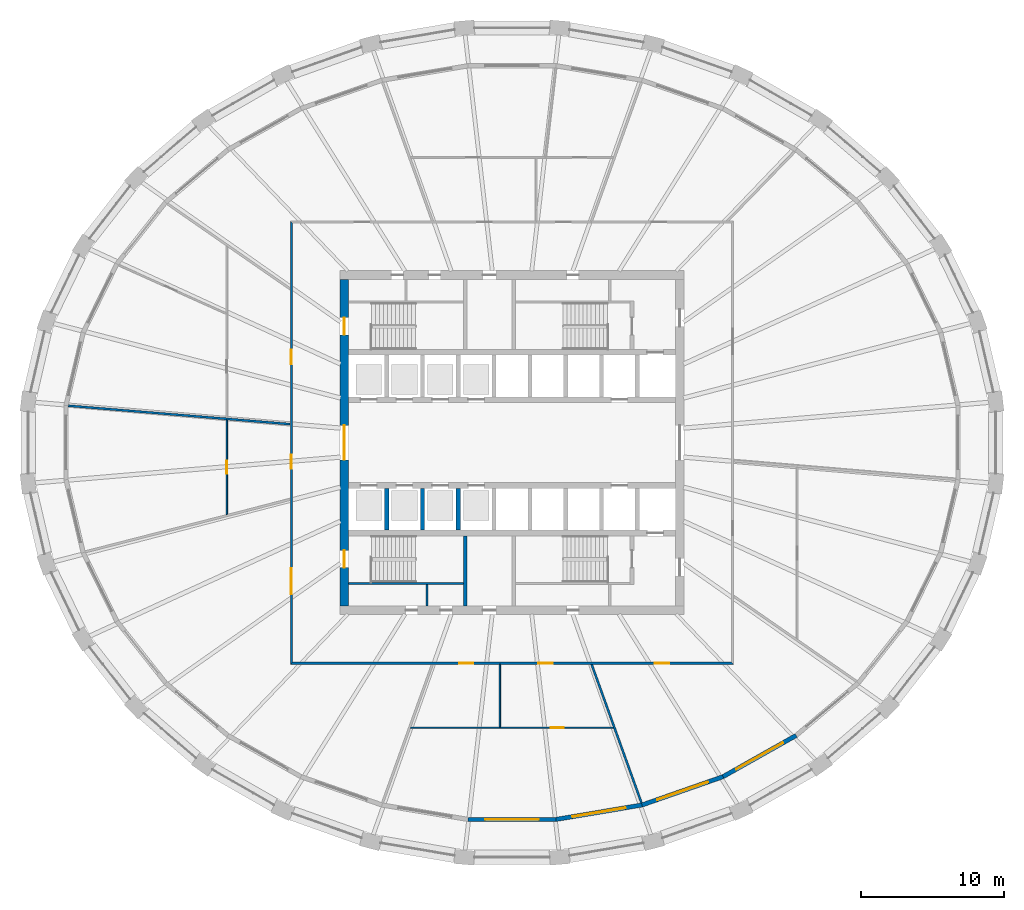
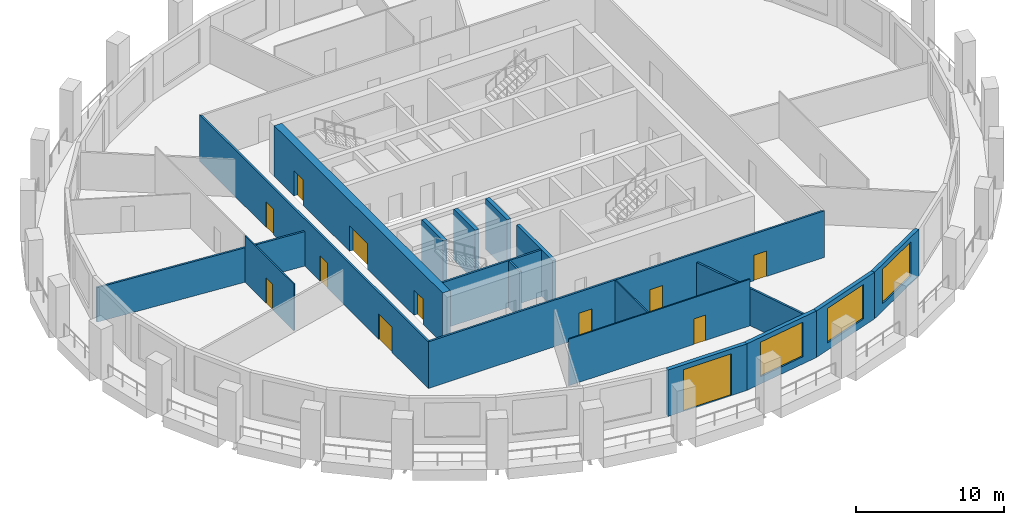
# One storey, part 3 of 10: 18 walls, 12 doors, 3 windows, 15 openings.
"""IFC4 building model written with IfcOpenShell, lengths in metres."""

from ifc_helpers import new_model, si_unit, direction, frame, frame_2d, origin, place, context, subcontext, project, spatial, polyline, rectangle, outline, extrude, material, layer, layer_set, type_object, element, fill, save


model = new_model("IFC4")

# Units and contexts
model_context = context("Model", 3, precision=1e-05, world=origin(), true_north=direction((0.0, 1.0)))
body_context = subcontext(model_context, "Body", "Model", "MODEL_VIEW")
ifc_project = project(units=[si_unit("LENGTHUNIT", "METRE"), si_unit("AREAUNIT", "SQUARE_METRE"), si_unit("VOLUMEUNIT", "CUBIC_METRE"), si_unit("PLANEANGLEUNIT", "RADIAN"), si_unit("MASSUNIT", "GRAM", prefix="KILO")], contexts=[model_context])

# Site, building, storey
site_placement = place(None, origin())
site = spatial("IfcSite", under=ifc_project, at=site_placement, CompositionType="ELEMENT")
building_placement = place(site_placement, origin())
building = spatial("IfcBuilding", under=site, at=building_placement, Name="Halqa Exchange Tower", CompositionType="ELEMENT")
storey_placement = place(building_placement, frame((0.0, 0.0, 163.300048828125)))
storey = spatial("IfcBuildingStorey", under=building, at=storey_placement, Name="L37", CompositionType="ELEMENT", Elevation=163.300048828125)

# Wall
ifc_material_1 = material(Name="Fire-rated gypsum board")
ifc_layer_1 = layer(ifc_material_1, 0.14990234375)
ifc_layer_set_1 = layer_set([ifc_layer_1], Name="Fire-rated gypsum board")
wall_type_1 = type_object("IfcWallType", Name="Fire partition EI 60 150", PredefinedType="PARTITIONING", material=ifc_layer_set_1)
wall_1_placement = place(storey_placement, frame((-30.964599609375, 2.574462890625, 0.0), z_axis=(0.0, 0.0, 1.0), x_axis=(0.996560145348, -0.082872653534, 0.0)))
element("IfcWall", 1, at=wall_1_placement, inside=storey, type_object=wall_type_1, Name="L37-PWL-001", PredefinedType="PARTITIONING", context=body_context, shape_type="SweptSolid", body=[
    extrude(outline(polyline([(0.0, -0.074951171875), (1.85986328125, -0.074951171875), (3.7197265625, -0.074951171875), (5.579345703125, -0.074951171875), (7.439208984375, -0.074951171875), (9.299072265625, -0.074951171875), (11.158935546875, -0.074951171875), (11.1591796875, -0.074951171875), (11.1591796875, -0.074951171875), (12.622314453125, -0.074951171875), (14.085693359375, -0.074951171875), (15.548828125, -0.074951171875), (15.548828125, -0.0693359375), (15.536865234375, 0.074951171875), (14.044921875, 0.074951171875), (12.552978515625, 0.074951171875), (11.06103515625, 0.074951171875), (11.04638671875, 0.07373046875), (11.04638671875, 0.074951171875), (9.2060546875, 0.074951171875), (7.36572265625, 0.074951171875), (5.525390625, 0.074951171875), (3.68505859375, 0.074951171875), (1.8447265625, 0.074951171875), (0.00439453125, 0.074951171875), (0.0, 0.044921875), (0.0, -0.074951171875)])), origin(), (0.0, 0.0, 1.0), 2.849853515625),
])

# Wall, openings, doors
wall_2_placement = place(storey_placement, frame((-15.39990234375, -15.47509765625, 0.0), z_axis=(0.0, 0.0, 1.0), x_axis=(0.0, 1.0, 0.0)))
wall_2 = element("IfcWall", 2, at=wall_2_placement, inside=storey, type_object=wall_type_1, Name="L37-PWL-007", PredefinedType="PARTITIONING", context=body_context, shape_type="SweptSolid", body=[
    extrude(outline(polyline([(0.150146484375, -0.074951171875), (2.065673828125, -0.074951171875), (3.9814453125, -0.074951171875), (5.89697265625, -0.074951171875), (7.8125, -0.074951171875), (9.728271484375, -0.074951171875), (11.643798828125, -0.074951171875), (13.5595703125, -0.074951171875), (15.47509765625, -0.074951171875), (17.390625, -0.074951171875), (19.306396484375, -0.074951171875), (21.221923828125, -0.074951171875), (23.1376953125, -0.074951171875), (25.05322265625, -0.074951171875), (26.96875, -0.074951171875), (28.884521484375, -0.074951171875), (30.800048828125, -0.074951171875), (30.949951171875, 0.074951171875), (29.015625, 0.074951171875), (27.081298828125, 0.074951171875), (25.14697265625, 0.074951171875), (23.21240234375, 0.074951171875), (21.278076171875, 0.074951171875), (19.34375, 0.074951171875), (17.409423828125, 0.074951171875), (15.47509765625, 0.074951171875), (13.540771484375, 0.074951171875), (11.6064453125, 0.074951171875), (9.672119140625, 0.074951171875), (7.73779296875, 0.074951171875), (5.80322265625, 0.074951171875), (3.868896484375, 0.074951171875), (1.9345703125, 0.074951171875), (0.000244140625, 0.074951171875), (0.150146484375, -0.074951171875)])), origin(), (0.0, 0.0, 1.0), 3.849853515625),
])
opening_1_placement = place(wall_2_placement, frame((20.949951171875, 0.0, 0.0)))
opening_1 = element("IfcOpeningElement", 3, at=opening_1_placement, cuts=wall_2, Name="Opening 11-04", PredefinedType="OPENING", context=body_context, shape_type="SweptSolid", body=[
    extrude(rectangle(XDim=1.0, YDim=2.10009765625, at=frame_2d((0.5, 1.050048828125))), frame((0.0, 0.0869140625, 0.0), z_axis=(0.0, -1.0, 0.0), x_axis=(1.0, 0.0, 0.0)), (0.0, 0.0, 1.0), 0.173828125),
])
opening_2_placement = place(wall_2_placement, frame((13.64501953125, 0.0, 0.0)))
opening_2 = element("IfcOpeningElement", 4, at=opening_2_placement, cuts=wall_2, Name="Opening 11-05", PredefinedType="OPENING", context=body_context, shape_type="SweptSolid", body=[
    extrude(rectangle(XDim=1.0, YDim=2.10009765625, at=frame_2d((0.5, 1.050048828125))), frame((0.0, 0.0869140625, 0.0), z_axis=(0.0, -1.0, 0.0), x_axis=(1.0, 0.0, 0.0)), (0.0, 0.0, 1.0), 0.173828125),
])
opening_3_placement = place(wall_2_placement, frame((4.905029296875, 0.0, 0.0)))
opening_3 = element("IfcOpeningElement", 5, at=opening_3_placement, cuts=wall_2, Name="Opening 11-06", PredefinedType="OPENING", context=body_context, shape_type="SweptSolid", body=[
    extrude(rectangle(XDim=1.800048828125, YDim=2.10009765625, at=frame_2d((0.89990234375, 1.050048828125))), frame((0.0, 0.0869140625, 0.0), z_axis=(0.0, -1.0, 0.0), x_axis=(1.0, 0.0, 0.0)), (0.0, 0.0, 1.0), 0.173828125),
])
ifc_material_2 = material(Name="Steel fire door leaf", Category="steel")
door_type_1 = type_object("IfcDoorType", Name="Fire door FD30S 1000 x 2100", OperationType="SINGLE_SWING_LEFT", PredefinedType="DOOR", material=ifc_material_2)
door_1_placement = place(opening_1_placement, origin())
door_1 = element("IfcDoor", 6, at=door_1_placement, inside=storey, type_object=door_type_1, Name="L37-IDR-004", OperationType="SINGLE_SWING_RIGHT", OverallHeight=2.10009765625, OverallWidth=1.0, PredefinedType="DOOR", context=body_context, shape_type="SweptSolid", body=[
    extrude(rectangle(XDim=1.0, YDim=2.10009765625, at=frame_2d((0.5, 1.050048828125))), frame((0.0, 0.02490234375, 0.0), z_axis=(0.0, -1.0, 0.0), x_axis=(1.0, 0.0, 0.0)), (0.0, 0.0, 1.0), 0.050048828125),
])
fill(opening_1, door_1)
door_2_placement = place(opening_2_placement, origin())
door_2 = element("IfcDoor", 7, at=door_2_placement, inside=storey, type_object=door_type_1, Name="L37-IDR-005", OperationType="SINGLE_SWING_RIGHT", OverallHeight=2.10009765625, OverallWidth=1.0, PredefinedType="DOOR", context=body_context, shape_type="SweptSolid", body=[
    extrude(rectangle(XDim=1.0, YDim=2.10009765625, at=frame_2d((0.5, 1.050048828125))), frame((0.0, 0.02490234375, 0.0), z_axis=(0.0, -1.0, 0.0), x_axis=(1.0, 0.0, 0.0)), (0.0, 0.0, 1.0), 0.050048828125),
])
fill(opening_2, door_2)
door_type_2 = type_object("IfcDoorType", Name="Fire door FD30S double 1800 x 2100", OperationType="DOUBLE_DOOR_SINGLE_SWING", PredefinedType="DOOR", material=ifc_material_2)
door_3_placement = place(opening_3_placement, origin())
door_3 = element("IfcDoor", 8, at=door_3_placement, inside=storey, type_object=door_type_2, Name="L37-IDR-006", OperationType="DOUBLE_DOOR_SINGLE_SWING", OverallHeight=2.10009765625, OverallWidth=1.800048828125, PredefinedType="DOOR", context=body_context, shape_type="SweptSolid", body=[
    extrude(rectangle(XDim=1.800048828125, YDim=2.10009765625, at=frame_2d((0.89990234375, 1.050048828125))), frame((0.0, 0.02490234375, 0.0), z_axis=(0.0, -1.0, 0.0), x_axis=(1.0, 0.0, 0.0)), (0.0, 0.0, 1.0), 0.050048828125),
])
fill(opening_3, door_3)

wall_3_placement = place(storey_placement, frame((-15.47509765625, -15.39990234375, 0.0), z_axis=(0.0, 0.0, 1.0), x_axis=(1.0, 0.0, 0.0)))
wall_3 = element("IfcWall", 9, at=wall_3_placement, inside=storey, type_object=wall_type_1, Name="L37-PWL-008", PredefinedType="PARTITIONING", context=body_context, shape_type="SweptSolid", body=[
    extrude(outline(polyline([(0.000244140625, -0.074951171875), (1.9345703125, -0.074951171875), (3.868896484375, -0.074951171875), (5.80322265625, -0.074951171875), (7.73779296875, -0.074951171875), (9.672119140625, -0.074951171875), (11.6064453125, -0.074951171875), (13.540771484375, -0.074951171875), (15.47509765625, -0.074951171875), (17.409423828125, -0.074951171875), (19.34375, -0.074951171875), (21.278076171875, -0.074951171875), (23.21240234375, -0.074951171875), (25.14697265625, -0.074951171875), (27.081298828125, -0.074951171875), (29.015625, -0.074951171875), (30.949951171875, -0.074951171875), (30.800048828125, 0.074951171875), (28.884521484375, 0.074951171875), (26.96875, 0.074951171875), (25.05322265625, 0.074951171875), (23.1376953125, 0.074951171875), (21.221923828125, 0.074951171875), (19.306396484375, 0.074951171875), (17.390625, 0.074951171875), (15.47509765625, 0.074951171875), (13.5595703125, 0.074951171875), (11.643798828125, 0.074951171875), (9.728271484375, 0.074951171875), (7.8125, 0.074951171875), (5.89697265625, 0.074951171875), (3.9814453125, 0.074951171875), (2.065673828125, 0.074951171875), (0.150146484375, 0.074951171875), (0.000244140625, -0.074951171875)])), origin(), (0.0, 0.0, 1.0), 3.849853515625),
])
opening_4_placement = place(wall_3_placement, frame((11.784912109375, 0.0, 0.0)))
opening_4 = element("IfcOpeningElement", 10, at=opening_4_placement, cuts=wall_3, Name="Opening 11-07", PredefinedType="OPENING", context=body_context, shape_type="SweptSolid", body=[
    extrude(rectangle(XDim=1.0, YDim=2.10009765625, at=frame_2d((0.5, 1.050048828125))), frame((0.0, 0.0869140625, 0.0), z_axis=(0.0, -1.0, 0.0), x_axis=(1.0, 0.0, 0.0)), (0.0, 0.0, 1.0), 0.173828125),
])
opening_5_placement = place(wall_3_placement, frame((17.31494140625, 0.0, 0.0)))
opening_5 = element("IfcOpeningElement", 11, at=opening_5_placement, cuts=wall_3, Name="Opening 11-08", PredefinedType="OPENING", context=body_context, shape_type="SweptSolid", body=[
    extrude(rectangle(XDim=1.0, YDim=2.10009765625, at=frame_2d((0.5, 1.050048828125))), frame((0.0, 0.0869140625, 0.0), z_axis=(0.0, -1.0, 0.0), x_axis=(1.0, 0.0, 0.0)), (0.0, 0.0, 1.0), 0.173828125),
])
opening_6_placement = place(wall_3_placement, frame((25.43994140625, 0.0, 0.0)))
opening_6 = element("IfcOpeningElement", 12, at=opening_6_placement, cuts=wall_3, Name="Opening 11-09", PredefinedType="OPENING", context=body_context, shape_type="SweptSolid", body=[
    extrude(rectangle(XDim=1.0, YDim=2.10009765625, at=frame_2d((0.5, 1.050048828125))), frame((0.0, 0.0869140625, 0.0), z_axis=(0.0, -1.0, 0.0), x_axis=(1.0, 0.0, 0.0)), (0.0, 0.0, 1.0), 0.173828125),
])
door_4_placement = place(opening_4_placement, frame((1.0, 0.0, 0.0), z_axis=(0.0, 0.0, 1.0), x_axis=(-1.0, 0.0, 0.0)))
door_4 = element("IfcDoor", 13, at=door_4_placement, inside=storey, type_object=door_type_1, Name="L37-IDR-007", OperationType="SINGLE_SWING_LEFT", OverallHeight=2.10009765625, OverallWidth=1.0, PredefinedType="DOOR", context=body_context, shape_type="SweptSolid", body=[
    extrude(rectangle(XDim=1.0, YDim=2.10009765625, at=frame_2d((0.5, 1.050048828125))), frame((0.0, 0.02490234375, 0.0), z_axis=(0.0, -1.0, 0.0), x_axis=(1.0, 0.0, 0.0)), (0.0, 0.0, 1.0), 0.050048828125),
])
fill(opening_4, door_4)
door_5_placement = place(opening_5_placement, frame((1.0, 0.0, 0.0), z_axis=(0.0, 0.0, 1.0), x_axis=(-1.0, 0.0, 0.0)))
door_5 = element("IfcDoor", 14, at=door_5_placement, inside=storey, type_object=door_type_1, Name="L37-IDR-008", OperationType="SINGLE_SWING_RIGHT", OverallHeight=2.10009765625, OverallWidth=1.0, PredefinedType="DOOR", context=body_context, shape_type="SweptSolid", body=[
    extrude(rectangle(XDim=1.0, YDim=2.10009765625, at=frame_2d((0.5, 1.050048828125))), frame((0.0, 0.02490234375, 0.0), z_axis=(0.0, -1.0, 0.0), x_axis=(1.0, 0.0, 0.0)), (0.0, 0.0, 1.0), 0.050048828125),
])
fill(opening_5, door_5)
door_6_placement = place(opening_6_placement, frame((1.0, 0.0, 0.0), z_axis=(0.0, 0.0, 1.0), x_axis=(-1.0, 0.0, 0.0)))
door_6 = element("IfcDoor", 15, at=door_6_placement, inside=storey, type_object=door_type_1, Name="L37-IDR-009", OperationType="SINGLE_SWING_RIGHT", OverallHeight=2.10009765625, OverallWidth=1.0, PredefinedType="DOOR", context=body_context, shape_type="SweptSolid", body=[
    extrude(rectangle(XDim=1.0, YDim=2.10009765625, at=frame_2d((0.5, 1.050048828125))), frame((0.0, 0.02490234375, 0.0), z_axis=(0.0, -1.0, 0.0), x_axis=(1.0, 0.0, 0.0)), (0.0, 0.0, 1.0), 0.050048828125),
])
fill(opening_6, door_6)

# Wall
wall_4_placement = place(storey_placement, frame((5.5478515625, -15.449951171875, 0.0), z_axis=(0.0, 0.0, 1.0), x_axis=(0.338668278724, -0.940905838533, 0.0)))
element("IfcWall", 16, at=wall_4_placement, inside=storey, type_object=wall_type_1, Name="L37-PWL-018", PredefinedType="PARTITIONING", context=body_context, shape_type="SweptSolid", body=[
    extrude(outline(polyline([(0.0, -0.074951171875), (1.5498046875, -0.074951171875), (3.099609375, -0.074951171875), (4.6494140625, -0.074951171875), (4.661376953125, -0.04150390625), (4.75439453125, -0.074951171875), (6.59912109375, -0.074951171875), (8.44384765625, -0.074951171875), (10.28857421875, -0.074951171875), (10.3017578125, -0.0029296875), (10.30224609375, 0.064453125), (10.30224609375, 0.074951171875), (8.59423828125, 0.074951171875), (6.885986328125, 0.074951171875), (5.177978515625, 0.074951171875), (3.4697265625, 0.074951171875), (1.76171875, 0.074951171875), (0.0537109375, 0.074951171875), (0.0, -0.073974609375), (0.0, -0.074951171875)])), origin(), (0.0, 0.0, 1.0), 3.079833984375),
])

# Wall, opening, door
ifc_material_3 = material(Name="Gypsum board")
ifc_layer_2 = layer(ifc_material_3, 0.10009765625)
ifc_layer_set_2 = layer_set([ifc_layer_2], Name="Gypsum board")
wall_type_2 = type_object("IfcWallType", Name="Partition 100 gypsum", PredefinedType="PARTITIONING", material=ifc_layer_set_2)
wall_5_placement = place(storey_placement, frame((-19.89990234375, -5.027587890625, 0.0), z_axis=(0.0, 0.0, 1.0), x_axis=(0.0, 1.0, 0.0)))
wall_5 = element("IfcWall", 17, at=wall_5_placement, inside=storey, type_object=wall_type_2, Name="L37-PWL-004", PredefinedType="PARTITIONING", context=body_context, shape_type="SweptSolid", body=[
    extrude(outline(polyline([(0.025390625, -0.050048828125), (1.669677734375, -0.050048828125), (3.31396484375, -0.050048828125), (4.958251953125, -0.050048828125), (6.6025390625, -0.050048828125), (6.610595703125, 0.04833984375), (6.610595703125, 0.050048828125), (4.9580078125, 0.050048828125), (3.30517578125, 0.050048828125), (1.652587890625, 0.050048828125), (0.0, 0.050048828125), (0.0, 0.048828125), (0.025390625, -0.050048828125)])), origin(), (0.0, 0.0, 1.0), 3.849853515625),
])
opening_7_placement = place(wall_5_placement, frame((2.857421875, 0.0, 0.0)))
opening_7 = element("IfcOpeningElement", 18, at=opening_7_placement, cuts=wall_5, Name="Opening 11-17", PredefinedType="OPENING", context=body_context, shape_type="SweptSolid", body=[
    extrude(rectangle(XDim=0.89990234375, YDim=2.10009765625, at=frame_2d((0.449951171875, 1.050048828125))), frame((0.0, 0.06201171875, 0.0), z_axis=(0.0, -1.0, 0.0), x_axis=(1.0, 0.0, 0.0)), (0.0, 0.0, 1.0), 0.1240234375),
])
ifc_material_4 = material(Name="Timber door leaf", Category="wood")
door_type_3 = type_object("IfcDoorType", Name="Door 900 x 2100", OperationType="SINGLE_SWING_LEFT", PredefinedType="DOOR", material=ifc_material_4)
door_7_placement = place(opening_7_placement, frame((0.89990234375, 0.0, 0.0), z_axis=(0.0, 0.0, 1.0), x_axis=(-1.0, 0.0, 0.0)))
door_7 = element("IfcDoor", 19, at=door_7_placement, inside=storey, type_object=door_type_3, Name="L37-IDR-017", OperationType="SINGLE_SWING_RIGHT", OverallHeight=2.10009765625, OverallWidth=0.89990234375, PredefinedType="DOOR", context=body_context, shape_type="SweptSolid", body=[
    extrude(rectangle(XDim=0.89990234375, YDim=2.10009765625, at=frame_2d((0.449951171875, 1.050048828125))), frame((0.0, 0.02490234375, 0.0), z_axis=(0.0, -1.0, 0.0), x_axis=(1.0, 0.0, 0.0)), (0.0, 0.0, 1.0), 0.050048828125),
])
fill(opening_7, door_7)

wall_6_placement = place(storey_placement, frame((-7.08740234375, -19.89990234375, 0.0), z_axis=(0.0, 0.0, 1.0), x_axis=(1.0, 0.0, 0.0)))
wall_6 = element("IfcWall", 20, at=wall_6_placement, inside=storey, type_object=wall_type_2, Name="L37-PWL-012", PredefinedType="PARTITIONING", context=body_context, shape_type="SweptSolid", body=[
    extrude(outline(polyline([(14.1748046875, -0.050048828125), (14.1748046875, -0.048583984375), (14.13916015625, 0.050048828125), (12.17626953125, 0.050048828125), (10.21337890625, 0.050048828125), (8.250244140625, 0.050048828125), (6.287353515625, 0.050048828125), (6.287353515625, 0.0498046875), (6.1875, 0.0498046875), (6.1875, 0.050048828125), (4.6494140625, 0.050048828125), (3.111572265625, 0.050048828125), (1.573486328125, 0.050048828125), (0.03564453125, 0.050048828125), (0.0, -0.048583984375), (0.0, -0.050048828125), (1.77197265625, -0.050048828125), (3.543701171875, -0.050048828125), (5.3154296875, -0.050048828125), (7.08740234375, -0.050048828125), (8.859375, -0.050048828125), (10.631103515625, -0.050048828125), (12.40283203125, -0.050048828125), (14.1748046875, -0.050048828125)])), origin(), (0.0, 0.0, 1.0), 3.849853515625),
])
opening_8_placement = place(wall_6_placement, frame((9.78759765625, 0.0, 0.0)))
opening_8 = element("IfcOpeningElement", 21, at=opening_8_placement, cuts=wall_6, Name="Opening 11-18", PredefinedType="OPENING", context=body_context, shape_type="SweptSolid", body=[
    extrude(rectangle(XDim=0.89990234375, YDim=2.10009765625, at=frame_2d((0.449951171875, 1.050048828125))), frame((0.0, 0.06201171875, 0.0), z_axis=(0.0, -1.0, 0.0), x_axis=(1.0, 0.0, 0.0)), (0.0, 0.0, 1.0), 0.1240234375),
])
door_8_placement = place(opening_8_placement, origin())
door_8 = element("IfcDoor", 22, at=door_8_placement, inside=storey, type_object=door_type_3, Name="L37-IDR-018", OperationType="SINGLE_SWING_RIGHT", OverallHeight=2.10009765625, OverallWidth=0.89990234375, PredefinedType="DOOR", context=body_context, shape_type="SweptSolid", body=[
    extrude(rectangle(XDim=0.89990234375, YDim=2.10009765625, at=frame_2d((0.449951171875, 1.050048828125))), frame((0.0, 0.02490234375, 0.0), z_axis=(0.0, -1.0, 0.0), x_axis=(1.0, 0.0, 0.0)), (0.0, 0.0, 1.0), 0.050048828125),
])
fill(opening_8, door_8)

# Walls
wall_7_placement = place(storey_placement, frame((-0.85009765625, -15.47509765625, 0.0), z_axis=(0.0, 0.0, 1.0), x_axis=(0.0, -1.0, 0.0)))
element("IfcWall", 23, at=wall_7_placement, inside=storey, type_object=wall_type_2, Name="L37-PWL-014", PredefinedType="PARTITIONING", context=body_context, shape_type="SweptSolid", body=[
    extrude(rectangle(XDim=4.375, YDim=0.10009765625, at=frame_2d((2.1875, 0.0))), origin(), (0.0, 0.0, 1.0), 3.849853515625),
])
ifc_layer_3 = layer(ifc_material_3, 0.14990234375)
ifc_layer_set_3 = layer_set([ifc_layer_3], Name="Gypsum board")
wall_type_3 = type_object("IfcWallType", Name="Penthouse riser wall 150 gypsum", PredefinedType="PARTITIONING", material=ifc_layer_set_3)
wall_8_placement = place(storey_placement, frame((-5.925048828125, -11.39990234375, 0.0), z_axis=(0.0, 0.0, 1.0), x_axis=(0.0, 1.0, 0.0)))
element("IfcWall", 24, at=wall_8_placement, inside=storey, type_object=wall_type_3, Name="Partition W5.925 S", PredefinedType="PARTITIONING", context=body_context, shape_type="SweptSolid", body=[
    extrude(rectangle(XDim=1.5, YDim=0.14990234375, at=frame_2d((0.75, 0.0))), origin(), (0.0, 0.0, 1.0), 3.849853515625),
])
ifc_material_5 = material(Name="Concrete C60/75", Category="concrete")
ifc_layer_4 = layer(ifc_material_5, 0.300048828125)
ifc_layer_set_4 = layer_set([ifc_layer_4], Name="Concrete C60/75")
wall_type_4 = type_object("IfcWallType", Name="RC core wall 300", PredefinedType="SHEAR", material=ifc_layer_set_4)
for number, where, z_axis, x_axis, name in (
    (25, (-8.75, -6.10009765625, 0.0), (0.0, 0.0, 1.0), (0.0, 1.0, 0.0), "Shaft divider S1"),
    (26, (-6.25, -6.10009765625, 0.0), (0.0, 0.0, 1.0), (0.0, 1.0, 0.0), "Shaft divider S2"),
    (27, (-3.75, -6.10009765625, 0.0), (0.0, 0.0, 1.0), (0.0, 1.0, 0.0), "Shaft divider S3"),
):
    element("IfcWall", number, at=place(storey_placement, frame(where, z_axis=z_axis, x_axis=x_axis)), inside=storey, type_object=wall_type_4, Name=name, PredefinedType="SHEAR", context=body_context, shape_type="SweptSolid", body=[
        extrude(rectangle(XDim=2.900146484375, YDim=0.300048828125, at=frame_2d((1.4501953125, 0.0))), origin(), (0.0, 0.0, 1.0), 4.199951171875),
    ])

# Wall, openings, doors
ifc_material_6 = material(Name="Concrete C70/85", Category="concrete")
ifc_layer_5 = layer(ifc_material_6, 0.60009765625)
ifc_layer_set_5 = layer_set([ifc_layer_5], Name="Concrete C70/85")
wall_type_5 = type_object("IfcWallType", Name="RC core wall 600 C70/85", PredefinedType="SHEAR", material=ifc_layer_set_5)
wall_9_placement = place(storey_placement, frame((-11.699951171875, -11.39990234375, 0.0), z_axis=(0.0, 0.0, 1.0), x_axis=(0.0, 1.0, 0.0)))
wall_9 = element("IfcWall", 28, at=wall_9_placement, inside=storey, type_object=wall_type_5, Name="Core wall west", PredefinedType="SHEAR", context=body_context, shape_type="SweptSolid", body=[
    extrude(rectangle(XDim=22.7998046875, YDim=0.60009765625, at=frame_2d((11.39990234375, 0.0))), origin(), (0.0, 0.0, 1.0), 4.199951171875),
])
opening_9_placement = place(wall_9_placement, frame((10.199951171875, 0.0, 0.0)))
opening_9 = element("IfcOpeningElement", 29, at=opening_9_placement, cuts=wall_9, Name="Opening T11-C13", PredefinedType="OPENING", context=body_context, shape_type="SweptSolid", body=[
    extrude(rectangle(XDim=2.39990234375, YDim=2.10009765625, at=frame_2d((1.199951171875, 1.050048828125))), frame((0.0, 0.31201171875, 0.0), z_axis=(0.0, -1.0, 0.0), x_axis=(1.0, 0.0, 0.0)), (0.0, 0.0, 1.0), 0.6240234375),
])
opening_10_placement = place(wall_9_placement, frame((18.925048828125, 0.0, 0.0)))
opening_10 = element("IfcOpeningElement", 30, at=opening_10_placement, cuts=wall_9, Name="Opening T11-C15", PredefinedType="OPENING", context=body_context, shape_type="SweptSolid", body=[
    extrude(rectangle(XDim=1.199951171875, YDim=2.10009765625, at=frame_2d((0.60009765625, 1.050048828125))), frame((0.0, 0.31201171875, 0.0), z_axis=(0.0, -1.0, 0.0), x_axis=(1.0, 0.0, 0.0)), (0.0, 0.0, 1.0), 0.6240234375),
])
opening_11_placement = place(wall_9_placement, frame((2.675048828125, 0.0, 0.0)))
opening_11 = element("IfcOpeningElement", 31, at=opening_11_placement, cuts=wall_9, Name="Opening T11-C17", PredefinedType="OPENING", context=body_context, shape_type="SweptSolid", body=[
    extrude(rectangle(XDim=1.199951171875, YDim=2.10009765625, at=frame_2d((0.60009765625, 1.050048828125))), frame((0.0, 0.31201171875, 0.0), z_axis=(0.0, -1.0, 0.0), x_axis=(1.0, 0.0, 0.0)), (0.0, 0.0, 1.0), 0.6240234375),
])
door_type_4 = type_object("IfcDoorType", Name="Lobby double door FD60 2400 x 2100", OperationType="DOUBLE_DOOR_SINGLE_SWING", PredefinedType="DOOR", material=ifc_material_2)
door_9_placement = place(opening_9_placement, frame((2.39990234375, 0.0, 0.0), z_axis=(0.0, 0.0, 1.0), x_axis=(-1.0, 0.0, 0.0)))
door_9 = element("IfcDoor", 32, at=door_9_placement, inside=storey, type_object=door_type_4, Name="Lift lobby double door", OperationType="DOUBLE_DOOR_SINGLE_SWING", OverallHeight=2.10009765625, OverallWidth=2.39990234375, PredefinedType="DOOR", context=body_context, shape_type="SweptSolid", body=[
    extrude(rectangle(XDim=2.39990234375, YDim=2.10009765625, at=frame_2d((1.199951171875, 1.050048828125))), frame((0.0, 0.02490234375, 0.0), z_axis=(0.0, -1.0, 0.0), x_axis=(1.0, 0.0, 0.0)), (0.0, 0.0, 1.0), 0.050048828125),
])
fill(opening_9, door_9)
door_type_5 = type_object("IfcDoorType", Name="Stair door FD90 1200 x 2100", OperationType="SINGLE_SWING_LEFT", PredefinedType="DOOR", material=ifc_material_2)
door_10_placement = place(opening_10_placement, frame((1.199951171875, 0.0, 0.0), z_axis=(0.0, 0.0, 1.0), x_axis=(-1.0, 0.0, 0.0)))
door_10 = element("IfcDoor", 33, at=door_10_placement, inside=storey, type_object=door_type_5, Name="Stair door ST1", OperationType="SINGLE_SWING_RIGHT", OverallHeight=2.10009765625, OverallWidth=1.199951171875, PredefinedType="DOOR", context=body_context, shape_type="SweptSolid", body=[
    extrude(rectangle(XDim=1.199951171875, YDim=2.10009765625, at=frame_2d((0.60009765625, 1.050048828125))), frame((0.0, 0.02490234375, 0.0), z_axis=(0.0, -1.0, 0.0), x_axis=(1.0, 0.0, 0.0)), (0.0, 0.0, 1.0), 0.050048828125),
])
fill(opening_10, door_10)
door_11_placement = place(opening_11_placement, frame((1.199951171875, 0.0, 0.0), z_axis=(0.0, 0.0, 1.0), x_axis=(-1.0, 0.0, 0.0)))
door_11 = element("IfcDoor", 34, at=door_11_placement, inside=storey, type_object=door_type_5, Name="Stair door ST3", OperationType="SINGLE_SWING_RIGHT", OverallHeight=2.10009765625, OverallWidth=1.199951171875, PredefinedType="DOOR", context=body_context, shape_type="SweptSolid", body=[
    extrude(rectangle(XDim=1.199951171875, YDim=2.10009765625, at=frame_2d((0.60009765625, 1.050048828125))), frame((0.0, 0.02490234375, 0.0), z_axis=(0.0, -1.0, 0.0), x_axis=(1.0, 0.0, 0.0)), (0.0, 0.0, 1.0), 0.050048828125),
])
fill(opening_11, door_11)

# Walls
ifc_material_7 = material(Name="Concrete C30/37", Category="concrete")
ifc_layer_6 = layer(ifc_material_7, 0.14990234375)
ifc_layer_set_6 = layer_set([ifc_layer_6], Name="Concrete C30/37")
wall_type_6 = type_object("IfcWallType", Name="RC stair wall 150 C30/37", PredefinedType="SHEAR", material=ifc_layer_set_6)
wall_10_placement = place(storey_placement, frame((-11.39990234375, -9.824951171875, 0.0), z_axis=(0.0, 0.0, 1.0), x_axis=(1.0, 0.0, 0.0)))
element("IfcWall", 35, at=wall_10_placement, inside=storey, type_object=wall_type_6, Name="Stair ST1 north wall S", PredefinedType="SHEAR", context=body_context, shape_type="SweptSolid", body=[
    extrude(rectangle(XDim=8.0, YDim=0.14990234375, at=frame_2d((4.0, 0.0))), origin(), (0.0, 0.0, 1.0), 3.849853515625),
])
ifc_layer_7 = layer(ifc_material_7, 0.25)
ifc_layer_set_7 = layer_set([ifc_layer_7], Name="Concrete C30/37")
wall_type_7 = type_object("IfcWallType", Name="RC stair wall 250 C30/37", PredefinedType="SHEAR", material=ifc_layer_set_7)
wall_11_placement = place(storey_placement, frame((-3.27490234375, -11.39990234375, 0.0), z_axis=(0.0, 0.0, 1.0), x_axis=(0.0, 1.0, 0.0)))
element("IfcWall", 36, at=wall_11_placement, inside=storey, type_object=wall_type_7, Name="Stair ST1 east wall S", PredefinedType="SHEAR", context=body_context, shape_type="SweptSolid", body=[
    extrude(rectangle(XDim=4.89990234375, YDim=0.25, at=frame_2d((2.449951171875, 0.0))), origin(), (0.0, 0.0, 1.0), 3.849853515625),
])

# Wall, opening, door
ifc_material_8 = material(Name="Limestone cladding", Category="masonry")
ifc_layer_8 = layer(ifc_material_8, 0.0400390625)
ifc_material_9 = material(Name="Ventilated cavity")
ifc_layer_9 = layer(ifc_material_9, 0.030029296875, ventilated=True)
ifc_material_10 = material(Name="Mineral wool insulation")
ifc_layer_10 = layer(ifc_material_10, 0.10009765625)
ifc_layer_11 = layer(ifc_material_7, 0.10009765625)
ifc_material_11 = material(Name="Internal plaster")
ifc_layer_12 = layer(ifc_material_11, 0.030029296875)
ifc_layer_set_8 = layer_set([ifc_layer_8, ifc_layer_9, ifc_layer_10, ifc_layer_11, ifc_layer_12], Name="Stone-faced insulated wall 300")
wall_type_8 = type_object("IfcWallType", Name="Stone-faced insulated wall 300", PredefinedType="STANDARD", material=ifc_layer_set_8)
wall_12_placement = place(storey_placement, frame((-3.06298828125, -26.298583984375, 0.0), z_axis=(0.0, 0.0, 1.0), x_axis=(1.0, 0.0, 0.0)))
wall_12 = element("IfcWall", 37, at=wall_12_placement, inside=storey, type_object=wall_type_8, Name="Glass-line wall 24", PredefinedType="STANDARD", context=body_context, shape_type="SweptSolid", body=[
    extrude(outline(polyline([(-0.012451171875, -0.14990234375), (6.138427734375, -0.14990234375), (6.113525390625, 0.14990234375), (0.012451171875, 0.14990234375), (-0.012451171875, -0.14990234375)])), origin(), (0.0, 0.0, 1.0), 3.849853515625),
])
opening_12_placement = place(wall_12_placement, frame((1.18798828125, 0.0, 0.0)))
opening_12 = element("IfcOpeningElement", 38, at=opening_12_placement, cuts=wall_12, Name="Opening LG-F2-06", PredefinedType="OPENING", context=body_context, shape_type="SweptSolid", body=[
    extrude(rectangle(XDim=3.75, YDim=3.449951171875, at=frame_2d((1.875, 1.72509765625))), frame((0.0, 0.162109375, 0.0), z_axis=(0.0, -1.0, 0.0), x_axis=(1.0, 0.0, 0.0)), (0.0, 0.0, 1.0), 0.323974609375),
])
ifc_material_12 = material(Name="Clear low-emissivity glass in aluminium frame", Category="aluminium")
door_type_6 = type_object("IfcDoorType", Name="Glazed sliding loggia door 3750 x 3450", OperationType="DOUBLE_DOOR_SLIDING", PredefinedType="DOOR", material=ifc_material_12)
door_12_placement = place(opening_12_placement, origin())
door_12 = element("IfcDoor", 39, at=door_12_placement, inside=storey, type_object=door_type_6, Name="Loggia door 6", OperationType="DOUBLE_DOOR_SLIDING", OverallHeight=3.449951171875, OverallWidth=3.75, PredefinedType="DOOR", context=body_context, shape_type="SweptSolid", body=[
    extrude(rectangle(XDim=3.75, YDim=3.449951171875, at=frame_2d((1.875, 1.72509765625))), frame((0.0, 0.02490234375, 0.0), z_axis=(0.0, -1.0, 0.0), x_axis=(1.0, 0.0, 0.0)), (0.0, 0.0, 1.0), 0.050048828125),
])
fill(opening_12, door_12)

# Wall, opening, window
wall_13_placement = place(storey_placement, frame((3.06298828125, -26.298583984375, 0.0), z_axis=(0.0, 0.0, 1.0), x_axis=(0.98618955457, 0.165620537547, 0.0)))
wall_13 = element("IfcWall", 40, at=wall_13_placement, inside=storey, type_object=wall_type_8, Name="Glass-line wall 25", PredefinedType="STANDARD", context=body_context, shape_type="SweptSolid", body=[
    extrude(outline(polyline([(-0.012451171875, -0.14990234375), (6.105224609375, -0.14990234375), (6.079833984375, 0.14990234375), (0.012451171875, 0.14990234375), (-0.012451171875, -0.14990234375)])), origin(), (0.0, 0.0, 1.0), 3.849853515625),
])
opening_13_placement = place(wall_13_placement, frame((1.17138671875, 0.0, 0.60009765625)))
opening_13 = element("IfcOpeningElement", 41, at=opening_13_placement, cuts=wall_13, Name="Opening W-F2-25", PredefinedType="OPENING", context=body_context, shape_type="SweptSolid", body=[
    extrude(rectangle(XDim=3.75, YDim=2.85009765625, at=frame_2d((1.875, 1.425048828125))), frame((0.0, 0.162109375, 0.0), z_axis=(0.0, -1.0, 0.0), x_axis=(1.0, 0.0, 0.0)), (0.0, 0.0, 1.0), 0.323974609375),
])
window_type = type_object("IfcWindowType", Name="Fixed clear glazed window 3750 x 2850", PartitioningType="TRIPLE_PANEL_VERTICAL", PredefinedType="WINDOW", material=ifc_material_12)
window_1_placement = place(opening_13_placement, origin())
window_1 = element("IfcWindow", 42, at=window_1_placement, inside=storey, type_object=window_type, Name="Window 2", OverallHeight=2.85009765625, OverallWidth=3.75, PartitioningType="TRIPLE_PANEL_VERTICAL", PredefinedType="WINDOW", context=body_context, shape_type="SweptSolid", body=[
    extrude(rectangle(XDim=3.75, YDim=2.85009765625, at=frame_2d((1.875, 1.425048828125))), frame((0.0, 0.030029296875, 0.0), z_axis=(0.0, -1.0, 0.0), x_axis=(1.0, 0.0, 0.0)), (0.0, 0.0, 1.0), 0.06005859375),
])
fill(opening_13, window_1)

wall_14_placement = place(storey_placement, frame((9.0712890625, -25.28955078125, 0.0), z_axis=(0.0, 0.0, 1.0), x_axis=(0.943944636678, 0.330103806228, 0.0)))
wall_14 = element("IfcWall", 43, at=wall_14_placement, inside=storey, type_object=wall_type_8, Name="Glass-line wall 26", PredefinedType="STANDARD", context=body_context, shape_type="SweptSolid", body=[
    extrude(outline(polyline([(-0.0126953125, -0.14990234375), (6.0107421875, -0.14990234375), (5.98388671875, 0.14990234375), (0.0126953125, 0.14990234375), (-0.0126953125, -0.14990234375)])), origin(), (0.0, 0.0, 1.0), 3.849853515625),
])
opening_14_placement = place(wall_14_placement, frame((1.12353515625, 0.0, 0.60009765625)))
opening_14 = element("IfcOpeningElement", 44, at=opening_14_placement, cuts=wall_14, Name="Opening W-F2-26", PredefinedType="OPENING", context=body_context, shape_type="SweptSolid", body=[
    extrude(rectangle(XDim=3.75, YDim=2.85009765625, at=frame_2d((1.875, 1.425048828125))), frame((0.0, 0.162109375, 0.0), z_axis=(0.0, -1.0, 0.0), x_axis=(1.0, 0.0, 0.0)), (0.0, 0.0, 1.0), 0.323974609375),
])
window_2_placement = place(opening_14_placement, origin())
window_2 = element("IfcWindow", 45, at=window_2_placement, inside=storey, type_object=window_type, Name="Window 2", OverallHeight=2.85009765625, OverallWidth=3.75, PartitioningType="TRIPLE_PANEL_VERTICAL", PredefinedType="WINDOW", context=body_context, shape_type="SweptSolid", body=[
    extrude(rectangle(XDim=3.75, YDim=2.85009765625, at=frame_2d((1.875, 1.425048828125))), frame((0.0, 0.030029296875, 0.0), z_axis=(0.0, -1.0, 0.0), x_axis=(1.0, 0.0, 0.0)), (0.0, 0.0, 1.0), 0.06005859375),
])
fill(opening_14, window_2)

wall_15_placement = place(storey_placement, frame((14.732421875, -23.309814453125, 0.0), z_axis=(0.0, 0.0, 1.0), x_axis=(0.870982130072, 0.491314694565, 0.0)))
wall_15 = element("IfcWall", 46, at=wall_15_placement, inside=storey, type_object=wall_type_8, Name="Glass-line wall 27", PredefinedType="STANDARD", context=body_context, shape_type="SweptSolid", body=[
    extrude(outline(polyline([(-0.013427734375, -0.14990234375), (5.86572265625, -0.14990234375), (5.83740234375, 0.14990234375), (0.013427734375, 0.14990234375), (-0.013427734375, -0.14990234375)])), origin(), (0.0, 0.0, 1.0), 3.849853515625),
])
opening_15_placement = place(wall_15_placement, frame((1.05078125, 0.0, 0.60009765625)))
opening_15 = element("IfcOpeningElement", 47, at=opening_15_placement, cuts=wall_15, Name="Opening W-F2-27", PredefinedType="OPENING", context=body_context, shape_type="SweptSolid", body=[
    extrude(rectangle(XDim=3.75, YDim=2.85009765625, at=frame_2d((1.875, 1.425048828125))), frame((0.0, 0.162109375, 0.0), z_axis=(0.0, -1.0, 0.0), x_axis=(1.0, 0.0, 0.0)), (0.0, 0.0, 1.0), 0.323974609375),
])
window_3_placement = place(opening_15_placement, origin())
window_3 = element("IfcWindow", 48, at=window_3_placement, inside=storey, type_object=window_type, Name="Window 2", OverallHeight=2.85009765625, OverallWidth=3.75, PartitioningType="TRIPLE_PANEL_VERTICAL", PredefinedType="WINDOW", context=body_context, shape_type="SweptSolid", body=[
    extrude(rectangle(XDim=3.75, YDim=2.85009765625, at=frame_2d((1.875, 1.425048828125))), frame((0.0, 0.030029296875, 0.0), z_axis=(0.0, -1.0, 0.0), x_axis=(1.0, 0.0, 0.0)), (0.0, 0.0, 1.0), 0.06005859375),
])
fill(opening_15, window_3)

save(model, "model.ifc")
